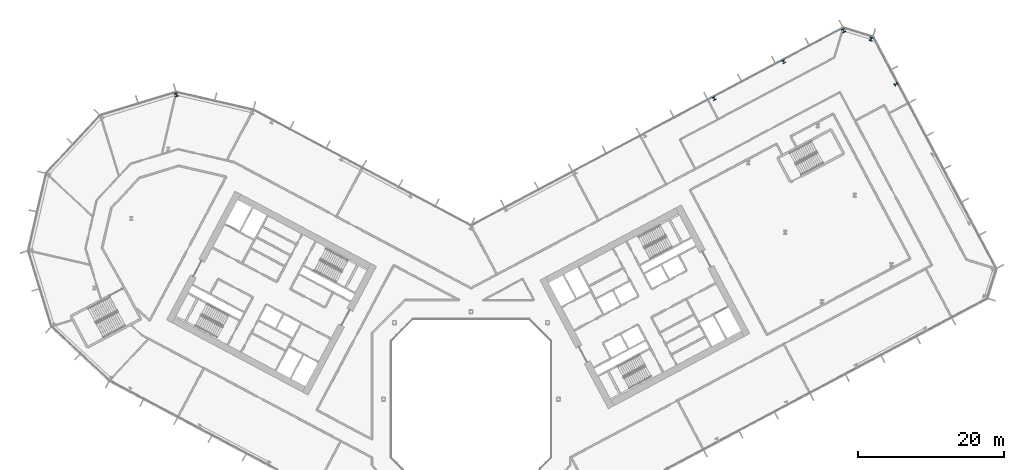
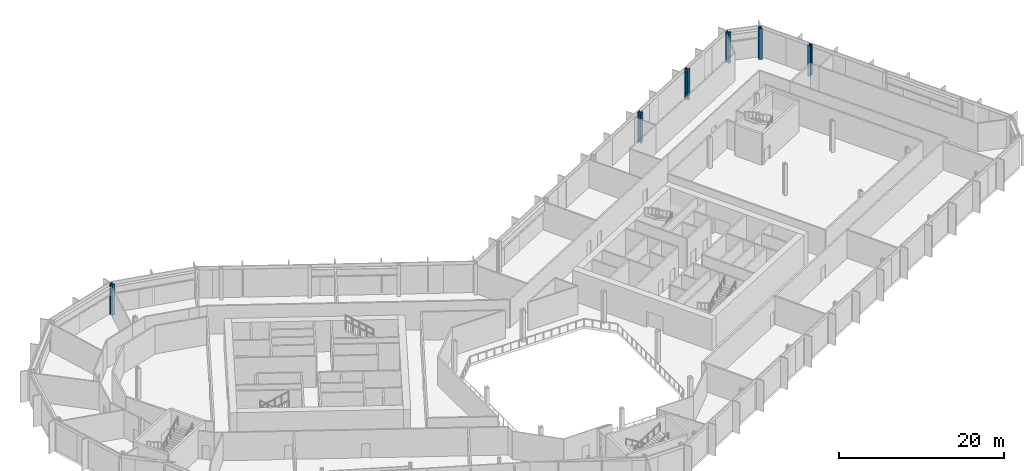
# One storey, part 5 of 31: 6 columns.
"""IFC4 building model written with IfcOpenShell, lengths in metres."""

from ifc_helpers import new_model, si_unit, direction, frame, origin, origin_2d, place, context, subcontext, project, spatial, i_section, extrude, material, material_profile, profile_set, type_object, element, save


model = new_model("IFC4")

# Units and contexts
model_context = context("Model", 3, precision=1e-05, world=origin(), true_north=direction((0.0, 1.0)))
body_context = subcontext(model_context, "Body", "Model", "MODEL_VIEW")
ifc_project = project(units=[si_unit("LENGTHUNIT", "METRE"), si_unit("AREAUNIT", "SQUARE_METRE"), si_unit("VOLUMEUNIT", "CUBIC_METRE"), si_unit("PLANEANGLEUNIT", "RADIAN"), si_unit("MASSUNIT", "GRAM", prefix="KILO")], contexts=[model_context])

# Site, building, storey
site_placement = place(None, origin())
site = spatial("IfcSite", under=ifc_project, at=site_placement, CompositionType="ELEMENT")
building_placement = place(site_placement, origin())
building = spatial("IfcBuilding", under=site, at=building_placement, Name="Cormorant Relay Tower", CompositionType="ELEMENT")
storey_placement = place(building_placement, frame((0.0, 0.0, 107.60009765625)))
storey = spatial("IfcBuildingStorey", under=building, at=storey_placement, Name="L21", CompositionType="ELEMENT", Elevation=107.60009765625)

# Columns
ifc_material_1 = material(Name="Steel ASTM A992 (Fy 345 MPa)", Category="steel")
ifc_material_profile_1 = material_profile(ifc_material_1, i_section(OverallWidth=0.42431640625, OverallDepth=0.47509765625, WebThickness=0.0478515625, FlangeThickness=0.0771484375, FilletRadius=0.014892578125, at=origin_2d()), Name="W360x634")
ifc_profile_set_1 = profile_set([ifc_material_profile_1], Name="Steel ASTM A992 (Fy 345 MPa)")
column_type_1 = type_object("IfcColumnType", Name="Column W360x634", PredefinedType="COLUMN", material=ifc_profile_set_1)
for number, where, z_axis, x_axis, name in (
    (1, (33.342041015625, 41.239990234375, 0.0), (0.0, 0.0, 1.0), (-0.882947592859, -0.469471562786, 0.0), "Column L21-049"),
    (2, (58.2900390625, 43.22509765625, 0.0), (0.0, 0.0, 1.0), (-0.469471562786, 0.882947592859, 0.0), "Column L21-051"),
    (3, (42.876953125, 46.31005859375, 0.0), (0.0, 0.0, 1.0), (-0.882947592859, -0.469471562786, 0.0), "Column L21-052"),
):
    element("IfcColumn", number, at=place(storey_placement, frame(where, z_axis=z_axis, x_axis=x_axis)), inside=storey, type_object=column_type_1, Name=name, PredefinedType="COLUMN", context=body_context, shape_type="SweptSolid", body=[
        extrude(i_section(OverallWidth=0.42431640625, OverallDepth=0.47509765625, WebThickness=0.0478515625, FlangeThickness=0.0771484375, FilletRadius=0.014892578125, at=origin_2d()), origin(), (0.0, 0.0, 1.0), 4.599853515625),
    ])
ifc_material_2 = material(Name="Steel ASTM A992 (Fy 345 MPa)", Category="steel")
ifc_material_profile_2 = material_profile(ifc_material_2, i_section(OverallWidth=0.43701171875, OverallDepth=0.51318359375, WebThickness=0.060546875, FlangeThickness=0.096923828125, FilletRadius=0.015380859375, at=origin_2d()), Name="W360x818")
ifc_profile_set_2 = profile_set([ifc_material_profile_2], Name="Steel ASTM A992 (Fy 345 MPa)")
column_type_2 = type_object("IfcColumnType", Name="Column W360x818", PredefinedType="COLUMN", material=ifc_profile_set_2)
for number, where, z_axis, x_axis, name in (
    (4, (-40.452880859375, 41.763916015625, 0.0), (0.0, 0.0, 1.0), (-0.956304755963, -0.292371704723, 0.0), "Column L21-050"),
    (5, (54.885986328125, 49.409912109375, 0.0), (0.0, 0.0, 1.0), (-0.956304755963, 0.292371704723, 0.0), "Column L21-053"),
    (6, (51.10009765625, 50.56689453125, 0.0), (0.0, 0.0, 1.0), (-0.882947592859, -0.469471562786, 0.0), "Column L21-054"),
):
    element("IfcColumn", number, at=place(storey_placement, frame(where, z_axis=z_axis, x_axis=x_axis)), inside=storey, type_object=column_type_2, Name=name, PredefinedType="COLUMN", context=body_context, shape_type="SweptSolid", body=[
        extrude(i_section(OverallWidth=0.43701171875, OverallDepth=0.51318359375, WebThickness=0.060546875, FlangeThickness=0.096923828125, FilletRadius=0.015380859375, at=origin_2d()), origin(), (0.0, 0.0, 1.0), 4.599853515625),
    ])

save(model, "model.ifc")
